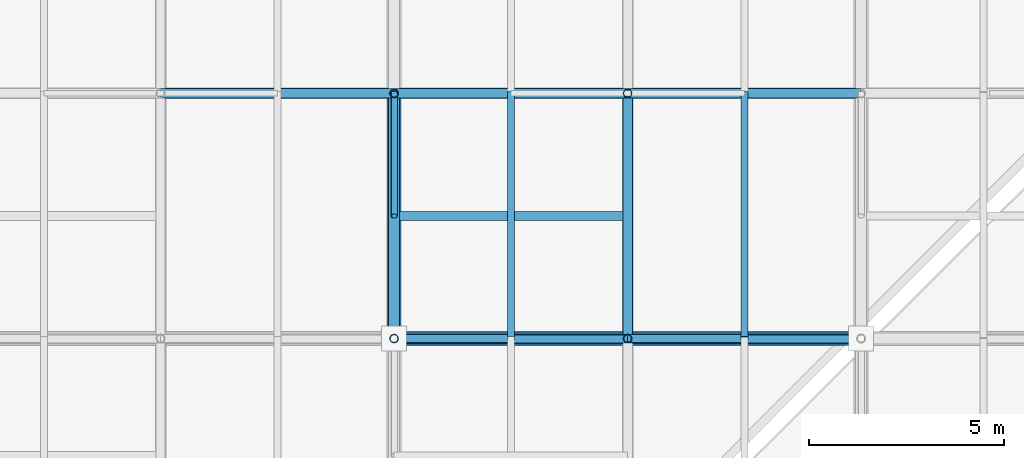
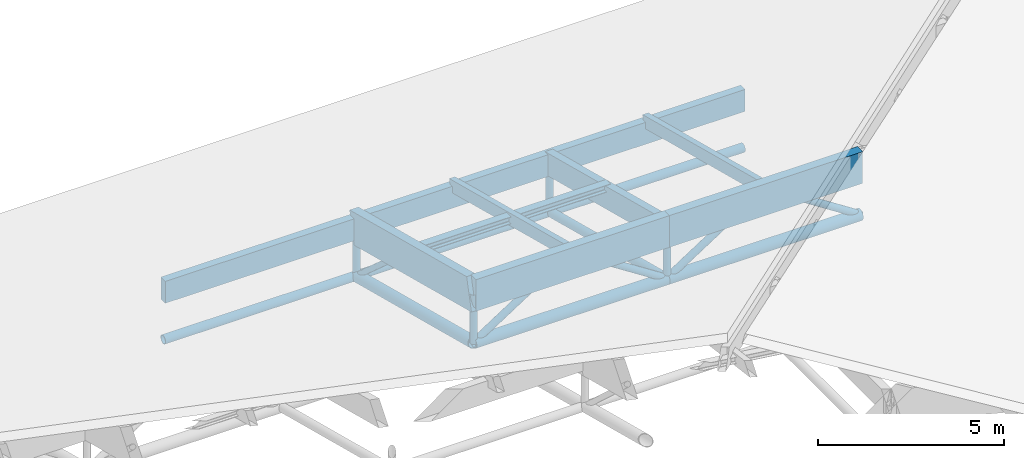
# One storey, part 65 of 80: 26 members.
"""IFC4 building model written with IfcOpenShell, lengths in metres."""

from ifc_helpers import new_model, si_unit, direction, frame, origin, origin_2d, place, context, subcontext, project, spatial, rectangle, hollow_circle, i_section, extrude, material, material_profile, profile_set, type_object, element, save


model = new_model("IFC4")

# Units and contexts
model_context = context("Model", 3, precision=1e-05, world=origin(), true_north=direction((0.0, 1.0)))
body_context = subcontext(model_context, "Body", "Model", "MODEL_VIEW")
ifc_project = project(units=[si_unit("LENGTHUNIT", "METRE"), si_unit("AREAUNIT", "SQUARE_METRE"), si_unit("VOLUMEUNIT", "CUBIC_METRE"), si_unit("PLANEANGLEUNIT", "RADIAN"), si_unit("MASSUNIT", "GRAM", prefix="KILO"), si_unit("THERMODYNAMICTEMPERATUREUNIT", "KELVIN"), si_unit("POWERUNIT", "WATT")], contexts=[model_context])

# Site, building, storey
site_placement = place(None, origin())
site = spatial("IfcSite", under=ifc_project, at=site_placement, CompositionType="ELEMENT")
building_placement = place(site_placement, origin())
building = spatial("IfcBuilding", under=site, at=building_placement, Name="Solmara Park Aquatics Centre", CompositionType="ELEMENT")
storey_placement = place(building_placement, frame((0.0, 0.0, 22.800048828125)))
storey = spatial("IfcBuildingStorey", under=building, at=storey_placement, Name="RF", CompositionType="ELEMENT", Elevation=22.800048828125)

# Members
ifc_material_1 = material(Name="Structural Steel S355", Category="steel")
ifc_material_profile_1 = material_profile(ifc_material_1, hollow_circle(Radius=0.084228515625, WallThickness=0.008056640625, at=origin_2d()), Name="CHS 168.3x8")
ifc_profile_set_1 = profile_set([ifc_material_profile_1], Name="Structural Steel S355")
member_type_1 = type_object("IfcMemberType", Name="STR-BRC-CHS168", PredefinedType="BRACE", material=ifc_profile_set_1)
member_1_placement = place(storey_placement, frame((84.60009765625, 78.89990234375, -12.770751953125), z_axis=(0.0, -0.748026356938, 0.663669020917), x_axis=(1.0, 0.0, 0.0)))
element("IfcMember", 1, at=member_1_placement, inside=storey, type_object=member_type_1, Name="Roof Truss Web Diagonal Y 2148", PredefinedType="BRACE", context=body_context, shape_type="SweptSolid", body=[
    extrude(hollow_circle(Radius=0.084228515625, WallThickness=0.008056640625, at=origin_2d()), origin(), (0.0, 0.0, 1.0), 4.2109375),
])
ifc_material_profile_2 = material_profile(ifc_material_1, hollow_circle(Radius=0.109619140625, WallThickness=0.010009765625, at=origin_2d()), Name="CHS 219.1x10")
ifc_profile_set_2 = profile_set([ifc_material_profile_2], Name="Structural Steel S355")
member_type_2 = type_object("IfcMemberType", Name="STR-BRC-CHS219", PredefinedType="BRACE", material=ifc_profile_set_2)
for number, where, z_axis, x_axis, name in (
    (2, (84.60009765625, 72.60009765625, -11.141357421875), (0.83972779743, 0.0, 0.543007574738), (0.0, 1.0, 0.0), "Roof Truss Web Diagonal X 1761"),
    (3, (90.60009765625, 72.60009765625, -11.141357421875), (-0.83972779743, 0.0, 0.543007574738), (0.0, -1.0, 0.0), "Roof Truss Web Diagonal X 1762"),
    (4, (90.60009765625, 72.60009765625, -11.141357421875), (0.83972779743, 0.0, 0.543007574738), (0.0, 1.0, 0.0), "Roof Truss Web Diagonal X 1787"),
    (5, (96.60009765625, 72.60009765625, -11.141357421875), (-0.83972779743, 0.0, 0.543007574738), (0.0, -1.0, 0.0), "Roof Truss Web Diagonal X 1788"),
):
    element("IfcMember", number, at=place(storey_placement, frame(where, z_axis=z_axis, x_axis=x_axis)), inside=storey, type_object=member_type_2, Name=name, PredefinedType="BRACE", context=body_context, shape_type="SweptSolid", body=[
        extrude(hollow_circle(Radius=0.109619140625, WallThickness=0.010009765625, at=origin_2d()), origin(), (0.0, 0.0, 1.0), 3.572509765625),
    ])
ifc_material_profile_3 = material_profile(ifc_material_1, hollow_circle(Radius=0.136474609375, WallThickness=0.012451171875, at=origin_2d()), Name="CHS 273x12.5")
ifc_profile_set_3 = profile_set([ifc_material_profile_3], Name="Structural Steel S355")
member_type_3 = type_object("IfcMemberType", Name="STR-CHD-CHS273", PredefinedType="CHORD", material=ifc_profile_set_3)
for number, where, z_axis, x_axis, name in (
    (6, (78.60009765625, 78.89990234375, -12.770751953125), (1.0, 0.0, 0.0), (0.0, 1.0, 0.0), "Steel Roof Truss Bottom Chord X 0496"),
    (7, (84.60009765625, 78.89990234375, -12.770751953125), (1.0, 0.0, 0.0), (0.0, 1.0, 0.0), "Steel Roof Truss Bottom Chord X 0498"),
    (8, (90.60009765625, 78.89990234375, -12.770751953125), (1.0, 0.0, 0.0), (0.0, 1.0, 0.0), "Steel Roof Truss Bottom Chord X 0500"),
):
    element("IfcMember", number, at=place(storey_placement, frame(where, z_axis=z_axis, x_axis=x_axis)), inside=storey, type_object=member_type_3, Name=name, PredefinedType="CHORD", context=body_context, shape_type="SweptSolid", body=[
        extrude(hollow_circle(Radius=0.136474609375, WallThickness=0.012451171875, at=origin_2d()), origin(), (0.0, 0.0, 1.0), 6.0),
    ])
member_2_placement = place(storey_placement, frame((90.60009765625, 72.60009765625, -11.141357421875), z_axis=(0.0, 0.968141893543, -0.250402224365), x_axis=(-1.0, 0.0, 0.0)))
element("IfcMember", 9, at=member_2_placement, inside=storey, type_object=member_type_3, Name="Steel Roof Truss Bottom Chord Y 0986", PredefinedType="CHORD", context=body_context, shape_type="SweptSolid", body=[
    extrude(hollow_circle(Radius=0.136474609375, WallThickness=0.012451171875, at=origin_2d()), origin(), (0.0, 0.0, 1.0), 6.507080078125),
])
ifc_material_profile_4 = material_profile(ifc_material_1, hollow_circle(Radius=0.177734375, WallThickness=0.01611328125, at=origin_2d()), Name="CHS 355.6x16")
ifc_profile_set_4 = profile_set([ifc_material_profile_4], Name="Structural Steel S355")
member_type_4 = type_object("IfcMemberType", Name="STR-CHD-CHS355", PredefinedType="CHORD", material=ifc_profile_set_4)
for number, where, z_axis, x_axis, name in (
    (10, (84.60009765625, 72.60009765625, -11.141357421875), (1.0, 0.0, 0.0), (0.0, 1.0, 0.0), "Steel Roof Truss Bottom Chord X 0462"),
    (11, (90.60009765625, 72.60009765625, -11.141357421875), (1.0, 0.0, 0.0), (0.0, 1.0, 0.0), "Steel Roof Truss Bottom Chord X 0464"),
):
    element("IfcMember", number, at=place(storey_placement, frame(where, z_axis=z_axis, x_axis=x_axis)), inside=storey, type_object=member_type_4, Name=name, PredefinedType="CHORD", context=body_context, shape_type="SweptSolid", body=[
        extrude(hollow_circle(Radius=0.177734375, WallThickness=0.01611328125, at=origin_2d()), origin(), (0.0, 0.0, 1.0), 6.0),
    ])
member_3_placement = place(storey_placement, frame((84.60009765625, 72.60009765625, -11.141357421875), z_axis=(0.0, 0.968141893543, -0.250402224365), x_axis=(-1.0, 0.0, 0.0)))
element("IfcMember", 12, at=member_3_placement, inside=storey, type_object=member_type_4, Name="Steel Roof Truss Bottom Chord Y 0958", PredefinedType="CHORD", context=body_context, shape_type="SweptSolid", body=[
    extrude(hollow_circle(Radius=0.177734375, WallThickness=0.01611328125, at=origin_2d()), origin(), (0.0, 0.0, 1.0), 6.507080078125),
])
ifc_material_2 = material(Name="Glulam Timber GL28h", Category="wood")
ifc_material_profile_5 = material_profile(ifc_material_2, rectangle(XDim=0.239990234375, YDim=0.719970703125, at=origin_2d()), Name="GL28h 240x720")
ifc_profile_set_5 = profile_set([ifc_material_profile_5], Name="Glulam Timber GL28h")
member_type_5 = type_object("IfcMemberType", Name="STR-CHD-GL240x720", PredefinedType="CHORD", material=ifc_profile_set_5)
for number, where, z_axis, x_axis, name in (
    (13, (78.60009765625, 78.89990234375, -11.150634765625), (1.0, 0.0, 0.0), (0.0, 1.0, 0.0), "Glulam Roof Truss Top Chord X 0495"),
    (14, (84.60009765625, 78.89990234375, -11.150634765625), (1.0, 0.0, 0.0), (0.0, 1.0, 0.0), "Glulam Roof Truss Top Chord X 0497"),
    (15, (90.60009765625, 78.89990234375, -11.150634765625), (1.0, 0.0, 0.0), (0.0, 1.0, 0.0), "Glulam Roof Truss Top Chord X 0499"),
):
    element("IfcMember", number, at=place(storey_placement, frame(where, z_axis=z_axis, x_axis=x_axis)), inside=storey, type_object=member_type_5, Name=name, PredefinedType="CHORD", context=body_context, shape_type="SweptSolid", body=[
        extrude(rectangle(XDim=0.239990234375, YDim=0.719970703125, at=origin_2d()), origin(), (0.0, 0.0, 1.0), 6.0),
    ])
member_4_placement = place(storey_placement, frame((90.60009765625, 72.60009765625, -9.521484375), z_axis=(0.0, 0.968150988544, -0.250367057299), x_axis=(-1.0, 0.0, 0.0)))
element("IfcMember", 16, at=member_4_placement, inside=storey, type_object=member_type_5, Name="Glulam Roof Truss Top Chord Y 0985", PredefinedType="CHORD", context=body_context, shape_type="SweptSolid", body=[
    extrude(rectangle(XDim=0.239990234375, YDim=0.719970703125, at=origin_2d()), origin(), (0.0, 0.0, 1.0), 6.507080078125),
])
ifc_material_profile_6 = material_profile(ifc_material_2, rectangle(XDim=0.280029296875, YDim=1.0400390625, at=origin_2d()), Name="GL28h 280x1040")
ifc_profile_set_6 = profile_set([ifc_material_profile_6], Name="Glulam Timber GL28h")
member_type_6 = type_object("IfcMemberType", Name="STR-CHD-GL280x1040", PredefinedType="CHORD", material=ifc_profile_set_6)
for number, where, z_axis, x_axis, name in (
    (17, (84.60009765625, 72.60009765625, -9.521484375), (1.0, 0.0, 0.0), (0.0, 1.0, 0.0), "Glulam Roof Truss Top Chord X 0461"),
    (18, (90.60009765625, 72.60009765625, -9.521484375), (1.0, 0.0, 0.0), (0.0, 1.0, 0.0), "Glulam Roof Truss Top Chord X 0463"),
):
    element("IfcMember", number, at=place(storey_placement, frame(where, z_axis=z_axis, x_axis=x_axis)), inside=storey, type_object=member_type_6, Name=name, PredefinedType="CHORD", context=body_context, shape_type="SweptSolid", body=[
        extrude(rectangle(XDim=0.280029296875, YDim=1.0400390625, at=origin_2d()), origin(), (0.0, 0.0, 1.0), 6.0),
    ])
member_5_placement = place(storey_placement, frame((84.60009765625, 72.60009765625, -9.521484375), z_axis=(0.0, 0.968150988544, -0.250367057299), x_axis=(-1.0, 0.0, 0.0)))
element("IfcMember", 19, at=member_5_placement, inside=storey, type_object=member_type_6, Name="Glulam Roof Truss Top Chord Y 0957", PredefinedType="CHORD", context=body_context, shape_type="SweptSolid", body=[
    extrude(rectangle(XDim=0.280029296875, YDim=1.0400390625, at=origin_2d()), origin(), (0.0, 0.0, 1.0), 6.507080078125),
])
ifc_material_profile_7 = material_profile(ifc_material_2, rectangle(XDim=0.179931640625, YDim=0.39990234375, at=origin_2d()), Name="GL28h 180x400")
ifc_profile_set_7 = profile_set([ifc_material_profile_7], Name="Glulam Timber GL28h")
member_type_7 = type_object("IfcMemberType", Name="STR-PRL-GL180x400", PredefinedType="PURLIN", material=ifc_profile_set_7)
for number, where, z_axis, x_axis, name in (
    (20, (87.60009765625, 72.60009765625, -9.201416015625), (0.0, 0.968141893543, -0.250402224365), (-1.0, 0.0, 0.0), "Glulam Roof Purlin 1751"),
    (21, (93.60009765625, 72.60009765625, -9.201416015625), (0.0, 0.968141893543, -0.250402224365), (-1.0, 0.0, 0.0), "Glulam Roof Purlin 1777"),
):
    element("IfcMember", number, at=place(storey_placement, frame(where, z_axis=z_axis, x_axis=x_axis)), inside=storey, type_object=member_type_7, Name=name, PredefinedType="PURLIN", context=body_context, shape_type="SweptSolid", body=[
        extrude(rectangle(XDim=0.179931640625, YDim=0.39990234375, at=origin_2d()), origin(), (0.0, 0.0, 1.0), 6.507080078125),
    ])
ifc_material_profile_8 = material_profile(ifc_material_1, i_section(OverallWidth=0.239990234375, OverallDepth=0.22998046875, WebThickness=0.007568359375, FlangeThickness=0.011962890625, FilletRadius=0.02099609375, at=origin_2d()), Name="HEA 240")
ifc_profile_set_8 = profile_set([ifc_material_profile_8], Name="Structural Steel S355")
member_type_8 = type_object("IfcMemberType", Name="STR-PRL-HEA240", PredefinedType="PURLIN", material=ifc_profile_set_8)
member_6_placement = place(storey_placement, frame((84.60009765625, 75.75, -9.99609375), z_axis=(1.0, 0.0, 0.0), x_axis=(0.0, 1.0, 0.0)))
element("IfcMember", 22, at=member_6_placement, inside=storey, type_object=member_type_8, Name="Glulam Secondary Roof Purlin 2138", PredefinedType="PURLIN", context=body_context, shape_type="SweptSolid", body=[
    extrude(i_section(OverallWidth=0.239990234375, OverallDepth=0.22998046875, WebThickness=0.007568359375, FlangeThickness=0.011962890625, FilletRadius=0.02099609375, at=origin_2d()), origin(), (0.0, 0.0, 1.0), 6.0),
])
ifc_material_profile_9 = material_profile(ifc_material_1, hollow_circle(Radius=0.109619140625, WallThickness=0.010009765625, at=origin_2d()), Name="CHS 219.1x10")
ifc_profile_set_9 = profile_set([ifc_material_profile_9], Name="Structural Steel S355")
member_type_9 = type_object("IfcMemberType", Name="STR-PST-CHS219", PredefinedType="POST", material=ifc_profile_set_9)
member_7_placement = place(storey_placement, frame((84.60009765625, 72.60009765625, -11.141357421875), z_axis=(0.0, 0.0, 1.0), x_axis=(1.0, 0.0, 0.0)))
element("IfcMember", 23, at=member_7_placement, inside=storey, type_object=member_type_9, Name="Roof Truss Web Post 1288", PredefinedType="POST", context=body_context, shape_type="SweptSolid", body=[
    extrude(hollow_circle(Radius=0.109619140625, WallThickness=0.010009765625, at=origin_2d()), origin(), (0.0, 0.0, 1.0), 1.619873046875),
])
member_8_placement = place(storey_placement, frame((84.60009765625, 78.89990234375, -12.770751953125), z_axis=(0.0, 0.0, 1.0), x_axis=(1.0, 0.0, 0.0)))
element("IfcMember", 24, at=member_8_placement, inside=storey, type_object=member_type_9, Name="Roof Truss Web Post 1289", PredefinedType="POST", context=body_context, shape_type="SweptSolid", body=[
    extrude(hollow_circle(Radius=0.109619140625, WallThickness=0.010009765625, at=origin_2d()), origin(), (0.0, 0.0, 1.0), 1.6201171875),
])
member_9_placement = place(storey_placement, frame((90.60009765625, 72.60009765625, -11.141357421875), z_axis=(0.0, 0.0, 1.0), x_axis=(1.0, 0.0, 0.0)))
element("IfcMember", 25, at=member_9_placement, inside=storey, type_object=member_type_9, Name="Roof Truss Web Post 1303", PredefinedType="POST", context=body_context, shape_type="SweptSolid", body=[
    extrude(hollow_circle(Radius=0.109619140625, WallThickness=0.010009765625, at=origin_2d()), origin(), (0.0, 0.0, 1.0), 1.619873046875),
])
member_10_placement = place(storey_placement, frame((90.60009765625, 78.89990234375, -12.770751953125), z_axis=(0.0, 0.0, 1.0), x_axis=(1.0, 0.0, 0.0)))
element("IfcMember", 26, at=member_10_placement, inside=storey, type_object=member_type_9, Name="Roof Truss Web Post 1304", PredefinedType="POST", context=body_context, shape_type="SweptSolid", body=[
    extrude(hollow_circle(Radius=0.109619140625, WallThickness=0.010009765625, at=origin_2d()), origin(), (0.0, 0.0, 1.0), 1.6201171875),
])

save(model, "model.ifc")
